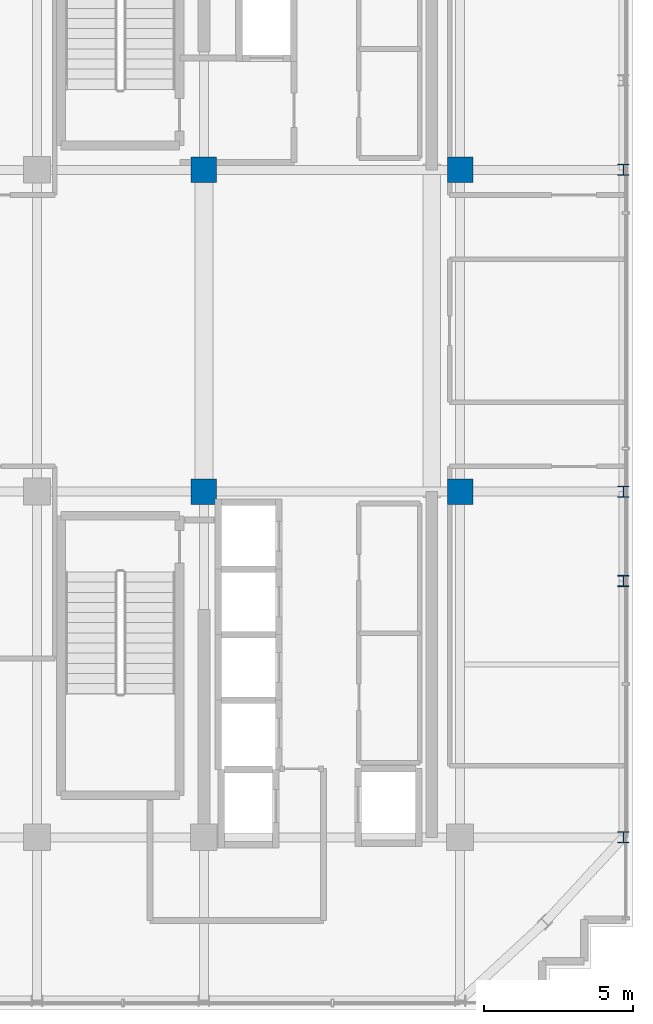
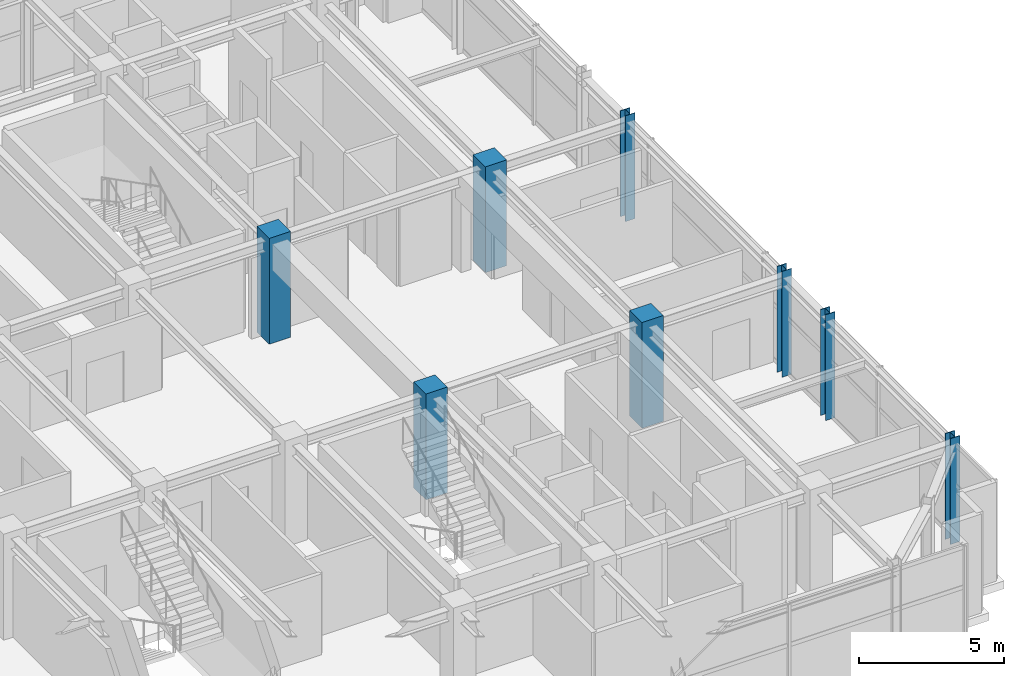
# One storey, part 2 of 25: 8 columns.
"""IFC4 building model written with IfcOpenShell, lengths in metres."""

from ifc_helpers import new_model, si_unit, direction, frame, origin, origin_2d, place, context, subcontext, project, spatial, rectangle, i_section, extrude, source, transform, mapped, material, material_profile, profile_set, type_object, element, save


model = new_model("IFC4")

# Units and contexts
model_context = context("Model", 3, precision=1e-05, world=origin(), true_north=direction((0.0, 1.0)))
body_context = subcontext(model_context, "Body", "Model", "MODEL_VIEW")
ifc_project = project(units=[si_unit("LENGTHUNIT", "METRE"), si_unit("AREAUNIT", "SQUARE_METRE"), si_unit("VOLUMEUNIT", "CUBIC_METRE"), si_unit("PLANEANGLEUNIT", "RADIAN"), si_unit("MASSUNIT", "GRAM", prefix="KILO")], contexts=[model_context])

# Site, building, storey
site_placement = place(None, origin())
site = spatial("IfcSite", under=ifc_project, at=site_placement, CompositionType="ELEMENT")
building_placement = place(site_placement, origin())
building = spatial("IfcBuilding", under=site, at=building_placement, Name="Nahalor Promenade Grand Hotel", CompositionType="ELEMENT")
storey_placement = place(building_placement, frame((0.0, 0.0, 338.550048828125)))
storey = spatial("IfcBuildingStorey", under=building, at=storey_placement, Name="L87", CompositionType="ELEMENT", Elevation=338.550048828125)

# Columns
ifc_material_1 = material(Name="Concrete B-70 (C60/75)", Category="concrete")
ifc_material_profile_1 = material_profile(ifc_material_1, rectangle(XDim=0.85, YDim=0.85, at=origin_2d()), Name="RC 850x850")
ifc_profile_set_1 = profile_set([ifc_material_profile_1], Name="Concrete B-70 (C60/75)")
column_type_1 = type_object("IfcColumnType", Name="Col-Pilaster-850", PredefinedType="PILASTER", material=ifc_profile_set_1)
shared_shape_1 = source(origin(), body_context, "Body", "SweptSolid", [
    extrude(rectangle(XDim=0.85, YDim=0.85, at=origin_2d()), origin(), (0.0, 0.0, 1.0), 4.454833984375),
])
for number, where, z_axis, x_axis, name in (
    (1, (8.39990234375, -5.39990234375, 0.0), (0.0, 0.0, 1.0), (1.0, 0.0, 0.0), "COL-L87-I41"),
    (2, (8.39990234375, 5.39990234375, 0.0), (0.0, 0.0, 1.0), (1.0, 0.0, 0.0), "COL-L87-I42"),
    (3, (17.0, -5.39990234375, 0.0), (0.0, 0.0, 1.0), (1.0, 0.0, 0.0), "COL-L87-I51"),
    (4, (17.0, 5.39990234375, 0.0), (0.0, 0.0, 1.0), (1.0, 0.0, 0.0), "COL-L87-I52"),
):
    element("IfcColumn", number, at=place(storey_placement, frame(where, z_axis=z_axis, x_axis=x_axis)), inside=storey, type_object=column_type_1, Name=name, PredefinedType="PILASTER", context=body_context, shape_type="MappedRepresentation", body=[
        mapped(shared_shape_1, transform((0.0, 0.0, 0.0), scale=1.0)),
    ])
ifc_material_2 = material(Name="Steel S355JR", Category="steel")
ifc_material_profile_2 = material_profile(ifc_material_2, i_section(OverallWidth=0.374, OverallDepth=0.374, WebThickness=0.0144, FlangeThickness=0.0229, at=origin_2d()), Name="HD 360x262")
ifc_profile_set_2 = profile_set([ifc_material_profile_2], Name="Steel S355JR")
column_type_2 = type_object("IfcColumnType", Name="Col-Steel-HD262", PredefinedType="COLUMN", material=ifc_profile_set_2)
shared_shape_2 = source(origin(), body_context, "Body", "SweptSolid", [
    extrude(i_section(OverallWidth=0.374, OverallDepth=0.374, WebThickness=0.0144, FlangeThickness=0.0229, at=origin_2d()), origin(), (0.0, 0.0, 1.0), 4.454833984375),
])
for number, where, z_axis, x_axis, name in (
    (5, (22.47998046875, -17.0, 0.0), (0.0, 0.0, 1.0), (1.0, 0.0, 0.0), "COL-L87-PW-E0"),
    (6, (22.47998046875, -8.39990234375, 0.0), (0.0, 0.0, 1.0), (1.0, 0.0, 0.0), "COL-L87-PW-E1"),
    (7, (22.47998046875, -5.39990234375, 0.0), (0.0, 0.0, 1.0), (1.0, 0.0, 0.0), "COL-L87-PW-E2"),
    (8, (22.47998046875, 5.39990234375, 0.0), (0.0, 0.0, 1.0), (1.0, 0.0, 0.0), "COL-L87-PW-E3"),
):
    element("IfcColumn", number, at=place(storey_placement, frame(where, z_axis=z_axis, x_axis=x_axis)), inside=storey, type_object=column_type_2, Name=name, PredefinedType="COLUMN", context=body_context, shape_type="MappedRepresentation", body=[
        mapped(shared_shape_2, transform((0.0, 0.0, 0.0), scale=1.0)),
    ])

save(model, "model.ifc")
